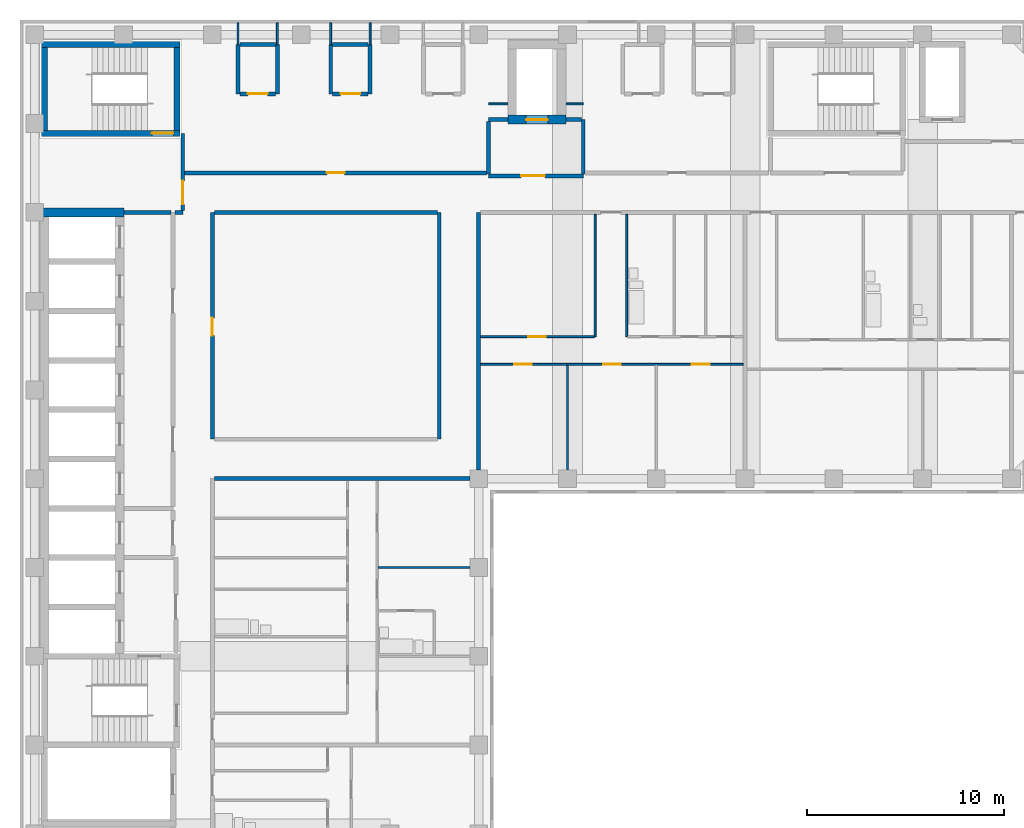
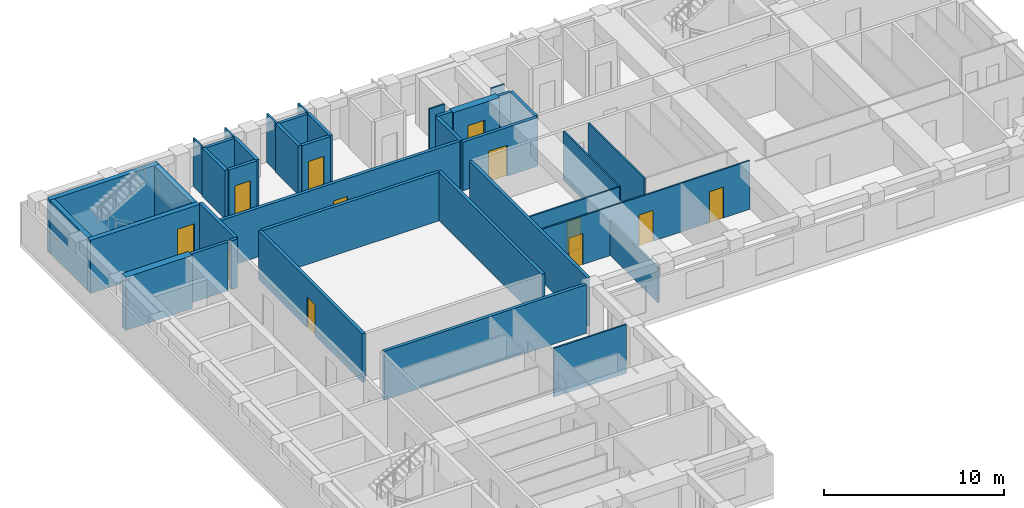
# One storey, part 5 of 10: 40 walls, 12 doors, 12 openings.
"""IFC4 building model written with IfcOpenShell, lengths in metres."""

from ifc_helpers import new_model, si_unit, direction, frame, frame_2d, origin, place, context, subcontext, project, spatial, rectangle, extrude, material, layer, layer_set, type_object, element, fill, save


model = new_model("IFC4")

# Units and contexts
model_context = context("Model", 3, precision=1e-05, world=origin(), true_north=direction((0.0, 1.0)))
body_context = subcontext(model_context, "Body", "Model", "MODEL_VIEW")
ifc_project = project(units=[si_unit("LENGTHUNIT", "METRE"), si_unit("AREAUNIT", "SQUARE_METRE"), si_unit("VOLUMEUNIT", "CUBIC_METRE"), si_unit("PLANEANGLEUNIT", "RADIAN"), si_unit("MASSUNIT", "GRAM", prefix="KILO")], contexts=[model_context])

# Site, building, storey
site_placement = place(None, origin())
site = spatial("IfcSite", under=ifc_project, at=site_placement, CompositionType="ELEMENT")
building_placement = place(site_placement, origin())
building = spatial("IfcBuilding", under=site, at=building_placement, Name="Firuza Court", CompositionType="ELEMENT")
storey_placement = place(building_placement, frame((0.0, 0.0, 189.800048828125)))
storey = spatial("IfcBuildingStorey", under=building, at=storey_placement, Name="L48", CompositionType="ELEMENT", Elevation=189.800048828125)

# Wall
ifc_material_1 = material(Name="Moisture-resistant gypsum board partition")
ifc_layer_1 = layer(ifc_material_1, 0.10009765625)
ifc_layer_set_1 = layer_set([ifc_layer_1], Name="Moisture-resistant gypsum board partition")
wall_type_1 = type_object("IfcWallType", Name="Bathroom partition 100", PredefinedType="PLUMBINGWALL", material=ifc_layer_set_1)
wall_1_placement = place(storey_placement, frame((30.0, 43.199951171875, 0.0), z_axis=(0.0, 0.0, 1.0), x_axis=(0.0, 1.0, 0.0)))
element("IfcWall", 1, at=wall_1_placement, inside=storey, type_object=wall_type_1, Name="Bathroom partition 100 L48", PredefinedType="PLUMBINGWALL", context=body_context, shape_type="SweptSolid", body=[
    extrude(rectangle(XDim=6.199951171875, YDim=0.10009765625, at=frame_2d((3.10009765625, 0.0))), origin(), (0.0, 0.0, 1.0), 3.300048828125),
])

# Wall, opening, door
ifc_material_2 = material(Name="Concrete C50/60", Category="concrete")
ifc_layer_2 = layer(ifc_material_2, 0.300048828125)
ifc_layer_set_2 = layer_set([ifc_layer_2], Name="Concrete C50/60")
wall_type_2 = type_object("IfcWallType", Name="Core wall 300 C50/60", PredefinedType="SHEAR", material=ifc_layer_set_2)
wall_2_placement = place(storey_placement, frame((0.35009765625, 53.5, -0.300048828125), z_axis=(0.0, 0.0, 1.0), x_axis=(1.0, 0.0, 0.0)))
wall_2 = element("IfcWall", 2, at=wall_2_placement, inside=storey, type_object=wall_type_2, Name="Core wall stair L48", PredefinedType="SHEAR", context=body_context, shape_type="SweptSolid", body=[
    extrude(rectangle(XDim=7.0, YDim=0.300048828125, at=frame_2d((3.5, 0.0))), origin(), (0.0, 0.0, 1.0), 3.60009765625),
])
opening_1_placement = place(wall_2_placement, frame((5.580078125, 0.0, 0.300048828125)))
opening_1 = element("IfcOpeningElement", 3, at=opening_1_placement, cuts=wall_2, Name="Opening D48014", PredefinedType="OPENING", context=body_context, shape_type="SweptSolid", body=[
    extrude(rectangle(XDim=1.10009765625, YDim=2.10009765625, at=frame_2d((0.550048828125, 1.050048828125))), frame((0.0, 0.162109375, 0.0), z_axis=(0.0, -1.0, 0.0), x_axis=(1.0, 0.0, 0.0)), (0.0, 0.0, 1.0), 0.323974609375),
])
ifc_material_3 = material(Name="Timber door leaf in hardwood frame", Category="wood")
door_type_1 = type_object("IfcDoorType", Name="Stair door 1100", OperationType="SINGLE_SWING_LEFT", PredefinedType="DOOR", material=ifc_material_3)
door_1_placement = place(opening_1_placement, origin())
door_1 = element("IfcDoor", 4, at=door_1_placement, inside=storey, type_object=door_type_1, Name="Stair door S3", OperationType="SINGLE_SWING_RIGHT", OverallHeight=2.10009765625, OverallWidth=1.10009765625, PredefinedType="DOOR", context=body_context, shape_type="SweptSolid", body=[
    extrude(rectangle(XDim=1.10009765625, YDim=2.10009765625, at=frame_2d((0.550048828125, 1.050048828125))), frame((0.0, 0.02490234375, 0.0), z_axis=(0.0, -1.0, 0.0), x_axis=(1.0, 0.0, 0.0)), (0.0, 0.0, 1.0), 0.050048828125),
])
fill(opening_1, door_1)

# Walls
wall_3_placement = place(storey_placement, frame((0.35009765625, 58.0, -0.300048828125), z_axis=(0.0, 0.0, 1.0), x_axis=(1.0, 0.0, 0.0)))
element("IfcWall", 5, at=wall_3_placement, inside=storey, type_object=wall_type_2, Name="Core wall stair L48", PredefinedType="SHEAR", context=body_context, shape_type="SweptSolid", body=[
    extrude(rectangle(XDim=7.0, YDim=0.300048828125, at=frame_2d((3.5, 0.0))), origin(), (0.0, 0.0, 1.0), 3.60009765625),
])
for number, where, z_axis, x_axis, name in (
    (6, (0.5, 53.64990234375, -0.300048828125), (0.0, 0.0, 1.0), (0.0, 1.0, 0.0), "Core wall stair L48"),
    (7, (7.199951171875, 53.64990234375, -0.300048828125), (0.0, 0.0, 1.0), (0.0, 1.0, 0.0), "Core wall stair L48"),
):
    element("IfcWall", number, at=place(storey_placement, frame(where, z_axis=z_axis, x_axis=x_axis)), inside=storey, type_object=wall_type_2, Name=name, PredefinedType="SHEAR", context=body_context, shape_type="SweptSolid", body=[
        extrude(rectangle(XDim=4.2001953125, YDim=0.300048828125, at=frame_2d((2.10009765625, 0.0))), origin(), (0.0, 0.0, 1.0), 3.60009765625),
    ])
ifc_layer_3 = layer(ifc_material_2, 0.449951171875)
ifc_layer_set_3 = layer_set([ifc_layer_3], Name="Concrete C50/60")
wall_type_3 = type_object("IfcWallType", Name="Core wall 450 C50/60", PredefinedType="SHEAR", material=ifc_layer_set_3)
wall_4_placement = place(storey_placement, frame((0.27490234375, 49.5, -0.300048828125), z_axis=(0.0, 0.0, 1.0), x_axis=(1.0, 0.0, 0.0)))
element("IfcWall", 8, at=wall_4_placement, inside=storey, type_object=wall_type_3, Name="Core wall lift shaft L48", PredefinedType="SHEAR", context=body_context, shape_type="SweptSolid", body=[
    extrude(rectangle(XDim=4.25, YDim=0.449951171875, at=frame_2d((2.125, 0.0))), origin(), (0.0, 0.0, 1.0), 3.60009765625),
])

# Wall, opening, door
wall_5_placement = place(storey_placement, frame((23.97509765625, 54.199951171875, -0.300048828125), z_axis=(0.0, 0.0, 1.0), x_axis=(1.0, 0.0, 0.0)))
wall_5 = element("IfcWall", 9, at=wall_5_placement, inside=storey, type_object=wall_type_3, Name="Core wall lift shaft L48", PredefinedType="SHEAR", context=body_context, shape_type="SweptSolid", body=[
    extrude(rectangle(XDim=2.949951171875, YDim=0.449951171875, at=frame_2d((1.47509765625, 0.0))), origin(), (0.0, 0.0, 1.0), 3.60009765625),
])
opening_2_placement = place(wall_5_placement, frame((0.925048828125, 0.0, 0.300048828125)))
opening_2 = element("IfcOpeningElement", 10, at=opening_2_placement, cuts=wall_5, Name="Opening LD-FL3-48", PredefinedType="OPENING", context=body_context, shape_type="SweptSolid", body=[
    extrude(rectangle(XDim=1.10009765625, YDim=2.10009765625, at=frame_2d((0.550048828125, 1.050048828125))), frame((0.0, 0.23681640625, 0.0), z_axis=(0.0, -1.0, 0.0), x_axis=(1.0, 0.0, 0.0)), (0.0, 0.0, 1.0), 0.473876953125),
])
ifc_material_4 = material(Name="Stainless steel 1.4301 door leaf", Category="steel")
door_type_2 = type_object("IfcDoorType", Name="Lift landing door 1100", OperationType="SLIDING_TO_LEFT", PredefinedType="DOOR", material=ifc_material_4)
door_2_placement = place(opening_2_placement, origin())
door_2 = element("IfcDoor", 11, at=door_2_placement, inside=storey, type_object=door_type_2, Name="Landing door FL3", OperationType="SLIDING_TO_LEFT", OverallHeight=2.10009765625, OverallWidth=1.10009765625, PredefinedType="DOOR", context=body_context, shape_type="SweptSolid", body=[
    extrude(rectangle(XDim=1.10009765625, YDim=2.10009765625, at=frame_2d((0.550048828125, 1.050048828125))), frame((0.0, 0.02490234375, 0.0), z_axis=(0.0, -1.0, 0.0), x_axis=(1.0, 0.0, 0.0)), (0.0, 0.0, 1.0), 0.050048828125),
])
fill(opening_2, door_2)

ifc_material_5 = material(Name="Blockwork, plastered both sides", Category="masonry")
ifc_layer_4 = layer(ifc_material_5, 0.199951171875)
ifc_layer_set_4 = layer_set([ifc_layer_4], Name="Blockwork, plastered both sides")
wall_type_4 = type_object("IfcWallType", Name="Corridor wall 200", PredefinedType="PARTITIONING", material=ifc_layer_set_4)
wall_6_placement = place(storey_placement, frame((9.0, 38.0, 0.0), z_axis=(0.0, 0.0, 1.0), x_axis=(0.0, 1.0, 0.0)))
wall_6 = element("IfcWall", 12, at=wall_6_placement, inside=storey, type_object=wall_type_4, Name="Corridor wall 200 L48", PredefinedType="PARTITIONING", context=body_context, shape_type="SweptSolid", body=[
    extrude(rectangle(XDim=11.5, YDim=0.199951171875, at=frame_2d((5.75, 0.0))), origin(), (0.0, 0.0, 1.0), 3.300048828125),
])
opening_3_placement = place(wall_6_placement, frame((5.25, 0.0, 0.0)))
opening_3 = element("IfcOpeningElement", 13, at=opening_3_placement, cuts=wall_6, Name="Opening D48037", PredefinedType="OPENING", context=body_context, shape_type="SweptSolid", body=[
    extrude(rectangle(XDim=0.89990234375, YDim=2.10009765625, at=frame_2d((0.449951171875, 1.050048828125))), frame((0.0, 0.11181640625, 0.0), z_axis=(0.0, -1.0, 0.0), x_axis=(1.0, 0.0, 0.0)), (0.0, 0.0, 1.0), 0.223876953125),
])
ifc_material_6 = material(Name="Timber door leaf in hardwood frame", Category="wood")
door_type_3 = type_object("IfcDoorType", Name="Room door 900 EI 30", OperationType="SINGLE_SWING_LEFT", PredefinedType="DOOR", material=ifc_material_6)
door_3_placement = place(opening_3_placement, origin())
door_3 = element("IfcDoor", 14, at=door_3_placement, inside=storey, type_object=door_type_3, Name="Residents' club lounge door", OperationType="SINGLE_SWING_LEFT", OverallHeight=2.10009765625, OverallWidth=0.89990234375, PredefinedType="DOOR", context=body_context, shape_type="SweptSolid", body=[
    extrude(rectangle(XDim=0.89990234375, YDim=2.10009765625, at=frame_2d((0.449951171875, 1.050048828125))), frame((0.0, 0.02490234375, 0.0), z_axis=(0.0, -1.0, 0.0), x_axis=(1.0, 0.0, 0.0)), (0.0, 0.0, 1.0), 0.050048828125),
])
fill(opening_3, door_3)

# Walls
wall_7_placement = place(storey_placement, frame((20.5, 38.0, 0.0), z_axis=(0.0, 0.0, 1.0), x_axis=(0.0, 1.0, 0.0)))
element("IfcWall", 15, at=wall_7_placement, inside=storey, type_object=wall_type_4, Name="Corridor wall 200 L48", PredefinedType="PARTITIONING", context=body_context, shape_type="SweptSolid", body=[
    extrude(rectangle(XDim=11.5, YDim=0.199951171875, at=frame_2d((5.75, 0.0))), origin(), (0.0, 0.0, 1.0), 3.300048828125),
])
wall_8_placement = place(storey_placement, frame((9.10009765625, 49.5, 0.0), z_axis=(0.0, 0.0, 1.0), x_axis=(1.0, 0.0, 0.0)))
element("IfcWall", 16, at=wall_8_placement, inside=storey, type_object=wall_type_4, Name="Corridor wall 200 L48", PredefinedType="PARTITIONING", context=body_context, shape_type="SweptSolid", body=[
    extrude(rectangle(XDim=11.2998046875, YDim=0.199951171875, at=frame_2d((5.64990234375, 0.0))), origin(), (0.0, 0.0, 1.0), 3.300048828125),
])

# Wall, opening, door
wall_9_placement = place(storey_placement, frame((7.60009765625, 51.5, 0.0), z_axis=(0.0, 0.0, 1.0), x_axis=(1.0, 0.0, 0.0)))
wall_9 = element("IfcWall", 17, at=wall_9_placement, inside=storey, type_object=wall_type_4, Name="Corridor wall 200 L48", PredefinedType="PARTITIONING", context=body_context, shape_type="SweptSolid", body=[
    extrude(rectangle(XDim=15.2998046875, YDim=0.199951171875, at=frame_2d((7.64990234375, 0.0))), origin(), (0.0, 0.0, 1.0), 3.300048828125),
])
opening_4_placement = place(wall_9_placement, frame((7.199951171875, 0.0, 0.0)))
opening_4 = element("IfcOpeningElement", 18, at=opening_4_placement, cuts=wall_9, Name="Opening D48058", PredefinedType="OPENING", context=body_context, shape_type="SweptSolid", body=[
    extrude(rectangle(XDim=0.89990234375, YDim=2.10009765625, at=frame_2d((0.449951171875, 1.050048828125))), frame((0.0, 0.11181640625, 0.0), z_axis=(0.0, -1.0, 0.0), x_axis=(1.0, 0.0, 0.0)), (0.0, 0.0, 1.0), 0.223876953125),
])
door_4_placement = place(opening_4_placement, origin())
door_4 = element("IfcDoor", 19, at=door_4_placement, inside=storey, type_object=door_type_3, Name="Residents' workroom door", OperationType="SINGLE_SWING_LEFT", OverallHeight=2.10009765625, OverallWidth=0.89990234375, PredefinedType="DOOR", context=body_context, shape_type="SweptSolid", body=[
    extrude(rectangle(XDim=0.89990234375, YDim=2.10009765625, at=frame_2d((0.449951171875, 1.050048828125))), frame((0.0, 0.02490234375, 0.0), z_axis=(0.0, -1.0, 0.0), x_axis=(1.0, 0.0, 0.0)), (0.0, 0.0, 1.0), 0.050048828125),
])
fill(opening_4, door_4)

# Walls
ifc_material_7 = material(Name="Timber stud partition, plasterboard both sides", Category="wood")
ifc_layer_5 = layer(ifc_material_7, 0.10009765625)
ifc_layer_set_5 = layer_set([ifc_layer_5], Name="Timber stud partition, plasterboard both sides")
wall_type_5 = type_object("IfcWallType", Name="Partition wall 100", PredefinedType="PARTITIONING", material=ifc_layer_set_5)
wall_10_placement = place(storey_placement, frame((17.39990234375, 31.5, 0.0), z_axis=(0.0, 0.0, 1.0), x_axis=(1.0, 0.0, 0.0)))
element("IfcWall", 20, at=wall_10_placement, inside=storey, type_object=wall_type_5, Name="Partition wall 100 L48", PredefinedType="PARTITIONING", context=body_context, shape_type="SweptSolid", body=[
    extrude(rectangle(XDim=4.650146484375, YDim=0.10009765625, at=frame_2d((2.3251953125, 0.0))), origin(), (0.0, 0.0, 1.0), 3.300048828125),
])
wall_11_placement = place(storey_placement, frame((27.0, 36.449951171875, 0.0), z_axis=(0.0, 0.0, 1.0), x_axis=(0.0, 1.0, 0.0)))
element("IfcWall", 21, at=wall_11_placement, inside=storey, type_object=wall_type_5, Name="Partition wall 100 L48", PredefinedType="PARTITIONING", context=body_context, shape_type="SweptSolid", body=[
    extrude(rectangle(XDim=5.300048828125, YDim=0.10009765625, at=frame_2d((2.64990234375, 0.0))), origin(), (0.0, 0.0, 1.0), 2.39990234375),
])

# Wall, openings, doors
wall_12_placement = place(storey_placement, frame((22.60009765625, 41.800048828125, 0.0), z_axis=(0.0, 0.0, 1.0), x_axis=(1.0, 0.0, 0.0)))
wall_12 = element("IfcWall", 22, at=wall_12_placement, inside=storey, type_object=wall_type_5, Name="Partition wall 100 L48", PredefinedType="PARTITIONING", context=body_context, shape_type="SweptSolid", body=[
    extrude(rectangle(XDim=13.2998046875, YDim=0.10009765625, at=frame_2d((6.64990234375, 0.0))), origin(), (0.0, 0.0, 1.0), 3.300048828125),
])
opening_5_placement = place(wall_12_placement, frame((1.699951171875, 0.0, 0.0)))
opening_5 = element("IfcOpeningElement", 23, at=opening_5_placement, cuts=wall_12, Name="Opening D48041", PredefinedType="OPENING", context=body_context, shape_type="SweptSolid", body=[
    extrude(rectangle(XDim=0.89990234375, YDim=2.10009765625, at=frame_2d((0.449951171875, 1.050048828125))), frame((0.0, 0.06201171875, 0.0), z_axis=(0.0, -1.0, 0.0), x_axis=(1.0, 0.0, 0.0)), (0.0, 0.0, 1.0), 0.1240234375),
])
opening_6_placement = place(wall_12_placement, frame((6.199951171875, 0.0, 0.0)))
opening_6 = element("IfcOpeningElement", 24, at=opening_6_placement, cuts=wall_12, Name="Opening D48042", PredefinedType="OPENING", context=body_context, shape_type="SweptSolid", body=[
    extrude(rectangle(XDim=0.89990234375, YDim=2.10009765625, at=frame_2d((0.449951171875, 1.050048828125))), frame((0.0, 0.06201171875, 0.0), z_axis=(0.0, -1.0, 0.0), x_axis=(1.0, 0.0, 0.0)), (0.0, 0.0, 1.0), 0.1240234375),
])
opening_7_placement = place(wall_12_placement, frame((10.699951171875, 0.0, 0.0)))
opening_7 = element("IfcOpeningElement", 25, at=opening_7_placement, cuts=wall_12, Name="Opening D48043", PredefinedType="OPENING", context=body_context, shape_type="SweptSolid", body=[
    extrude(rectangle(XDim=0.89990234375, YDim=2.10009765625, at=frame_2d((0.449951171875, 1.050048828125))), frame((0.0, 0.06201171875, 0.0), z_axis=(0.0, -1.0, 0.0), x_axis=(1.0, 0.0, 0.0)), (0.0, 0.0, 1.0), 0.1240234375),
])
ifc_material_8 = material(Name="Timber door leaf in hardwood frame", Category="wood")
door_type_4 = type_object("IfcDoorType", Name="Room door 900", OperationType="SINGLE_SWING_LEFT", PredefinedType="DOOR", material=ifc_material_8)
door_5_placement = place(opening_5_placement, frame((0.89990234375, 0.0, 0.0), z_axis=(0.0, 0.0, 1.0), x_axis=(-1.0, 0.0, 0.0)))
door_5 = element("IfcDoor", 26, at=door_5_placement, inside=storey, type_object=door_type_4, Name="Living room door", OperationType="SINGLE_SWING_RIGHT", OverallHeight=2.10009765625, OverallWidth=0.89990234375, PredefinedType="DOOR", context=body_context, shape_type="SweptSolid", body=[
    extrude(rectangle(XDim=0.89990234375, YDim=2.10009765625, at=frame_2d((0.449951171875, 1.050048828125))), frame((0.0, 0.02490234375, 0.0), z_axis=(0.0, -1.0, 0.0), x_axis=(1.0, 0.0, 0.0)), (0.0, 0.0, 1.0), 0.050048828125),
])
fill(opening_5, door_5)
door_6_placement = place(opening_6_placement, frame((0.89990234375, 0.0, 0.0), z_axis=(0.0, 0.0, 1.0), x_axis=(-1.0, 0.0, 0.0)))
door_6 = element("IfcDoor", 27, at=door_6_placement, inside=storey, type_object=door_type_4, Name="Bedroom door", OperationType="SINGLE_SWING_RIGHT", OverallHeight=2.10009765625, OverallWidth=0.89990234375, PredefinedType="DOOR", context=body_context, shape_type="SweptSolid", body=[
    extrude(rectangle(XDim=0.89990234375, YDim=2.10009765625, at=frame_2d((0.449951171875, 1.050048828125))), frame((0.0, 0.02490234375, 0.0), z_axis=(0.0, -1.0, 0.0), x_axis=(1.0, 0.0, 0.0)), (0.0, 0.0, 1.0), 0.050048828125),
])
fill(opening_6, door_6)
door_7_placement = place(opening_7_placement, frame((0.89990234375, 0.0, 0.0), z_axis=(0.0, 0.0, 1.0), x_axis=(-1.0, 0.0, 0.0)))
door_7 = element("IfcDoor", 28, at=door_7_placement, inside=storey, type_object=door_type_4, Name="Study door", OperationType="SINGLE_SWING_RIGHT", OverallHeight=2.10009765625, OverallWidth=0.89990234375, PredefinedType="DOOR", context=body_context, shape_type="SweptSolid", body=[
    extrude(rectangle(XDim=0.89990234375, YDim=2.10009765625, at=frame_2d((0.449951171875, 1.050048828125))), frame((0.0, 0.02490234375, 0.0), z_axis=(0.0, -1.0, 0.0), x_axis=(1.0, 0.0, 0.0)), (0.0, 0.0, 1.0), 0.050048828125),
])
fill(opening_7, door_7)

# Wall, opening, door
wall_13_placement = place(storey_placement, frame((22.60009765625, 43.199951171875, 0.0), z_axis=(0.0, 0.0, 1.0), x_axis=(1.0, 0.0, 0.0)))
wall_13 = element("IfcWall", 29, at=wall_13_placement, inside=storey, type_object=wall_type_5, Name="Partition wall 100 L48", PredefinedType="PARTITIONING", context=body_context, shape_type="SweptSolid", body=[
    extrude(rectangle(XDim=5.75, YDim=0.10009765625, at=frame_2d((2.875, 0.0))), origin(), (0.0, 0.0, 1.0), 3.300048828125),
])
opening_8_placement = place(wall_13_placement, frame((2.39990234375, 0.0, 0.0)))
opening_8 = element("IfcOpeningElement", 30, at=opening_8_placement, cuts=wall_13, Name="Opening D48049", PredefinedType="OPENING", context=body_context, shape_type="SweptSolid", body=[
    extrude(rectangle(XDim=0.89990234375, YDim=2.10009765625, at=frame_2d((0.449951171875, 1.050048828125))), frame((0.0, 0.06201171875, 0.0), z_axis=(0.0, -1.0, 0.0), x_axis=(1.0, 0.0, 0.0)), (0.0, 0.0, 1.0), 0.1240234375),
])
door_8_placement = place(opening_8_placement, origin())
door_8 = element("IfcDoor", 31, at=door_8_placement, inside=storey, type_object=door_type_4, Name="Kitchen door", OperationType="SINGLE_SWING_LEFT", OverallHeight=2.10009765625, OverallWidth=0.89990234375, PredefinedType="DOOR", context=body_context, shape_type="SweptSolid", body=[
    extrude(rectangle(XDim=0.89990234375, YDim=2.10009765625, at=frame_2d((0.449951171875, 1.050048828125))), frame((0.0, 0.02490234375, 0.0), z_axis=(0.0, -1.0, 0.0), x_axis=(1.0, 0.0, 0.0)), (0.0, 0.0, 1.0), 0.050048828125),
])
fill(opening_8, door_8)

# Walls
wall_14_placement = place(storey_placement, frame((28.39990234375, 43.199951171875, 0.0), z_axis=(0.0, 0.0, 1.0), x_axis=(0.0, 1.0, 0.0)))
element("IfcWall", 32, at=wall_14_placement, inside=storey, type_object=wall_type_5, Name="Partition wall 100 L48", PredefinedType="PARTITIONING", context=body_context, shape_type="SweptSolid", body=[
    extrude(rectangle(XDim=6.199951171875, YDim=0.10009765625, at=frame_2d((3.10009765625, 0.0))), origin(), (0.0, 0.0, 1.0), 3.300048828125),
])
wall_15_placement = place(storey_placement, frame((23.0, 55.0, 0.0), z_axis=(0.0, 0.0, 1.0), x_axis=(1.0, 0.0, 0.0)))
element("IfcWall", 33, at=wall_15_placement, inside=storey, type_object=wall_type_5, Name="Partition wall 100 L48", PredefinedType="PARTITIONING", context=body_context, shape_type="SweptSolid", body=[
    extrude(rectangle(XDim=0.97509765625, YDim=0.10009765625, at=frame_2d((0.487548828125, 0.0))), origin(), (0.0, 0.0, 1.0), 3.300048828125),
])
wall_16_placement = place(storey_placement, frame((26.925048828125, 55.0, 0.0), z_axis=(0.0, 0.0, 1.0), x_axis=(1.0, 0.0, 0.0)))
element("IfcWall", 34, at=wall_16_placement, inside=storey, type_object=wall_type_5, Name="Partition wall 100 L48", PredefinedType="PARTITIONING", context=body_context, shape_type="SweptSolid", body=[
    extrude(rectangle(XDim=0.875, YDim=0.10009765625, at=frame_2d((0.4375, 0.0))), origin(), (0.0, 0.0, 1.0), 3.300048828125),
])
for number, where, z_axis, x_axis, name in (
    (35, (10.300048828125, 58.0, 0.0), (0.0, 0.0, 1.0), (0.0, 1.0, 0.0), "Partition wall 100 L48"),
    (36, (12.300048828125, 58.0, 0.0), (0.0, 0.0, 1.0), (0.0, 1.0, 0.0), "Partition wall 100 L48"),
    (37, (15.0, 58.0, 0.0), (0.0, 0.0, 1.0), (0.0, 1.0, 0.0), "Partition wall 100 L48"),
    (38, (17.0, 58.0, 0.0), (0.0, 0.0, 1.0), (0.0, 1.0, 0.0), "Partition wall 100 L48"),
):
    element("IfcWall", number, at=place(storey_placement, frame(where, z_axis=z_axis, x_axis=x_axis)), inside=storey, type_object=wall_type_5, Name=name, PredefinedType="PARTITIONING", context=body_context, shape_type="SweptSolid", body=[
        extrude(rectangle(XDim=1.10009765625, YDim=0.10009765625, at=frame_2d((0.550048828125, 0.0))), origin(), (0.0, 0.0, 1.0), 3.300048828125),
    ])
ifc_layer_6 = layer(ifc_material_5, 0.199951171875)
ifc_layer_set_6 = layer_set([ifc_layer_6], Name="Blockwork, plastered both sides")
wall_type_6 = type_object("IfcWallType", Name="Party wall 200", PredefinedType="PARTITIONING", material=ifc_layer_set_6)
wall_17_placement = place(storey_placement, frame((9.10009765625, 36.0, 0.0), z_axis=(0.0, 0.0, 1.0), x_axis=(1.0, 0.0, 0.0)))
element("IfcWall", 39, at=wall_17_placement, inside=storey, type_object=wall_type_6, Name="Party wall 200 L48", PredefinedType="PARTITIONING", context=body_context, shape_type="SweptSolid", body=[
    extrude(rectangle(XDim=12.949951171875, YDim=0.199951171875, at=frame_2d((6.47509765625, 0.0))), origin(), (0.0, 0.0, 1.0), 3.300048828125),
])
wall_18_placement = place(storey_placement, frame((22.5, 36.449951171875, 0.0), z_axis=(0.0, 0.0, 1.0), x_axis=(0.0, 1.0, 0.0)))
element("IfcWall", 40, at=wall_18_placement, inside=storey, type_object=wall_type_6, Name="Party wall 200 L48", PredefinedType="PARTITIONING", context=body_context, shape_type="SweptSolid", body=[
    extrude(rectangle(XDim=13.050048828125, YDim=0.199951171875, at=frame_2d((6.52490234375, 0.0))), origin(), (0.0, 0.0, 1.0), 3.300048828125),
])
ifc_material_9 = material(Name="Blockwork, fire-rated", Category="masonry")
ifc_layer_7 = layer(ifc_material_9, 0.199951171875)
ifc_layer_set_7 = layer_set([ifc_layer_7], Name="Blockwork, fire-rated")
wall_type_7 = type_object("IfcWallType", Name="Plant room wall 200", PredefinedType="PARTITIONING", material=ifc_layer_set_7)
wall_19_placement = place(storey_placement, frame((10.300048828125, 55.5, 0.0), z_axis=(0.0, 0.0, 1.0), x_axis=(0.0, 1.0, 0.0)))
element("IfcWall", 41, at=wall_19_placement, inside=storey, type_object=wall_type_7, Name="Plant room wall 200 L48", PredefinedType="PARTITIONING", context=body_context, shape_type="SweptSolid", body=[
    extrude(rectangle(XDim=2.5, YDim=0.199951171875, at=frame_2d((1.25, 0.0))), origin(), (0.0, 0.0, 1.0), 3.300048828125),
])

# Wall, opening, door
wall_20_placement = place(storey_placement, frame((10.39990234375, 55.5, 0.0), z_axis=(0.0, 0.0, 1.0), x_axis=(1.0, 0.0, 0.0)))
wall_20 = element("IfcWall", 42, at=wall_20_placement, inside=storey, type_object=wall_type_7, Name="Plant room wall 200 L48", PredefinedType="PARTITIONING", context=body_context, shape_type="SweptSolid", body=[
    extrude(rectangle(XDim=1.800048828125, YDim=0.199951171875, at=frame_2d((0.89990234375, 0.0))), origin(), (0.0, 0.0, 1.0), 3.300048828125),
])
opening_9_placement = place(wall_20_placement, frame((0.39990234375, 0.0, 0.0)))
opening_9 = element("IfcOpeningElement", 43, at=opening_9_placement, cuts=wall_20, Name="Opening D48061", PredefinedType="OPENING", context=body_context, shape_type="SweptSolid", body=[
    extrude(rectangle(XDim=1.0, YDim=2.10009765625, at=frame_2d((0.5, 1.050048828125))), frame((0.0, 0.11181640625, 0.0), z_axis=(0.0, -1.0, 0.0), x_axis=(1.0, 0.0, 0.0)), (0.0, 0.0, 1.0), 0.223876953125),
])
ifc_material_10 = material(Name="Timber door leaf in hardwood frame", Category="wood")
door_type_5 = type_object("IfcDoorType", Name="Riser door 1000", OperationType="SINGLE_SWING_LEFT", PredefinedType="DOOR", material=ifc_material_10)
door_9_placement = place(opening_9_placement, origin())
door_9 = element("IfcDoor", 44, at=door_9_placement, inside=storey, type_object=door_type_5, Name="Comms riser door", OperationType="SINGLE_SWING_LEFT", OverallHeight=2.10009765625, OverallWidth=1.0, PredefinedType="DOOR", context=body_context, shape_type="SweptSolid", body=[
    extrude(rectangle(XDim=1.0, YDim=2.10009765625, at=frame_2d((0.5, 1.050048828125))), frame((0.0, 0.02490234375, 0.0), z_axis=(0.0, -1.0, 0.0), x_axis=(1.0, 0.0, 0.0)), (0.0, 0.0, 1.0), 0.050048828125),
])
fill(opening_9, door_9)

# Walls
for number, where, z_axis, x_axis, name in (
    (45, (12.300048828125, 55.5, 0.0), (0.0, 0.0, 1.0), (0.0, 1.0, 0.0), "Plant room wall 200 L48"),
    (46, (15.0, 55.5, 0.0), (0.0, 0.0, 1.0), (0.0, 1.0, 0.0), "Plant room wall 200 L48"),
):
    element("IfcWall", number, at=place(storey_placement, frame(where, z_axis=z_axis, x_axis=x_axis)), inside=storey, type_object=wall_type_7, Name=name, PredefinedType="PARTITIONING", context=body_context, shape_type="SweptSolid", body=[
        extrude(rectangle(XDim=2.5, YDim=0.199951171875, at=frame_2d((1.25, 0.0))), origin(), (0.0, 0.0, 1.0), 3.300048828125),
    ])

# Wall, opening, door
wall_21_placement = place(storey_placement, frame((15.10009765625, 55.5, 0.0), z_axis=(0.0, 0.0, 1.0), x_axis=(1.0, 0.0, 0.0)))
wall_21 = element("IfcWall", 47, at=wall_21_placement, inside=storey, type_object=wall_type_7, Name="Plant room wall 200 L48", PredefinedType="PARTITIONING", context=body_context, shape_type="SweptSolid", body=[
    extrude(rectangle(XDim=1.7998046875, YDim=0.199951171875, at=frame_2d((0.89990234375, 0.0))), origin(), (0.0, 0.0, 1.0), 3.300048828125),
])
opening_10_placement = place(wall_21_placement, frame((0.39990234375, 0.0, 0.0)))
opening_10 = element("IfcOpeningElement", 48, at=opening_10_placement, cuts=wall_21, Name="Opening D48062", PredefinedType="OPENING", context=body_context, shape_type="SweptSolid", body=[
    extrude(rectangle(XDim=1.0, YDim=2.10009765625, at=frame_2d((0.5, 1.050048828125))), frame((0.0, 0.11181640625, 0.0), z_axis=(0.0, -1.0, 0.0), x_axis=(1.0, 0.0, 0.0)), (0.0, 0.0, 1.0), 0.223876953125),
])
door_10_placement = place(opening_10_placement, origin())
door_10 = element("IfcDoor", 49, at=door_10_placement, inside=storey, type_object=door_type_5, Name="Electrical riser door", OperationType="SINGLE_SWING_LEFT", OverallHeight=2.10009765625, OverallWidth=1.0, PredefinedType="DOOR", context=body_context, shape_type="SweptSolid", body=[
    extrude(rectangle(XDim=1.0, YDim=2.10009765625, at=frame_2d((0.5, 1.050048828125))), frame((0.0, 0.02490234375, 0.0), z_axis=(0.0, -1.0, 0.0), x_axis=(1.0, 0.0, 0.0)), (0.0, 0.0, 1.0), 0.050048828125),
])
fill(opening_10, door_10)

# Walls
wall_22_placement = place(storey_placement, frame((17.0, 55.5, 0.0), z_axis=(0.0, 0.0, 1.0), x_axis=(0.0, 1.0, 0.0)))
element("IfcWall", 50, at=wall_22_placement, inside=storey, type_object=wall_type_7, Name="Plant room wall 200 L48", PredefinedType="PARTITIONING", context=body_context, shape_type="SweptSolid", body=[
    extrude(rectangle(XDim=2.5, YDim=0.199951171875, at=frame_2d((1.25, 0.0))), origin(), (0.0, 0.0, 1.0), 3.300048828125),
])
wall_23_placement = place(storey_placement, frame((10.39990234375, 58.0, 0.0), z_axis=(0.0, 0.0, 1.0), x_axis=(1.0, 0.0, 0.0)))
element("IfcWall", 51, at=wall_23_placement, inside=storey, type_object=wall_type_7, Name="Plant room wall 200 L48", PredefinedType="PARTITIONING", context=body_context, shape_type="SweptSolid", body=[
    extrude(rectangle(XDim=1.800048828125, YDim=0.199951171875, at=frame_2d((0.89990234375, 0.0))), origin(), (0.0, 0.0, 1.0), 3.300048828125),
])
wall_24_placement = place(storey_placement, frame((15.10009765625, 58.0, 0.0), z_axis=(0.0, 0.0, 1.0), x_axis=(1.0, 0.0, 0.0)))
element("IfcWall", 52, at=wall_24_placement, inside=storey, type_object=wall_type_7, Name="Plant room wall 200 L48", PredefinedType="PARTITIONING", context=body_context, shape_type="SweptSolid", body=[
    extrude(rectangle(XDim=1.7998046875, YDim=0.199951171875, at=frame_2d((0.89990234375, 0.0))), origin(), (0.0, 0.0, 1.0), 3.300048828125),
])
ifc_layer_8 = layer(ifc_material_9, 0.199951171875)
ifc_layer_set_8 = layer_set([ifc_layer_8], Name="Blockwork, fire-rated")
wall_type_8 = type_object("IfcWallType", Name="Shaft wall 200", PredefinedType="PARTITIONING", material=ifc_layer_set_8)
wall_25_placement = place(storey_placement, frame((4.52490234375, 49.5, 0.0), z_axis=(0.0, 0.0, 1.0), x_axis=(1.0, 0.0, 0.0)))
element("IfcWall", 53, at=wall_25_placement, inside=storey, type_object=wall_type_8, Name="Shaft wall 200 L48", PredefinedType="PARTITIONING", context=body_context, shape_type="SweptSolid", body=[
    extrude(rectangle(XDim=2.375, YDim=0.199951171875, at=frame_2d((1.1875, 0.0))), origin(), (0.0, 0.0, 1.0), 3.300048828125),
])

# Wall, opening, door
wall_26_placement = place(storey_placement, frame((23.0, 51.35009765625, 0.0), z_axis=(0.0, 0.0, 1.0), x_axis=(1.0, 0.0, 0.0)))
wall_26 = element("IfcWall", 54, at=wall_26_placement, inside=storey, type_object=wall_type_8, Name="Shaft wall 200 L48", PredefinedType="PARTITIONING", context=body_context, shape_type="SweptSolid", body=[
    extrude(rectangle(XDim=4.800048828125, YDim=0.199951171875, at=frame_2d((2.39990234375, 0.0))), origin(), (0.0, 0.0, 1.0), 3.300048828125),
])
opening_11_placement = place(wall_26_placement, frame((1.64990234375, 0.0, 0.0)))
opening_11 = element("IfcOpeningElement", 55, at=opening_11_placement, cuts=wall_26, Name="Opening D48003", PredefinedType="OPENING", context=body_context, shape_type="SweptSolid", body=[
    extrude(rectangle(XDim=1.199951171875, YDim=2.10009765625, at=frame_2d((0.60009765625, 1.050048828125))), frame((0.0, 0.11181640625, 0.0), z_axis=(0.0, -1.0, 0.0), x_axis=(1.0, 0.0, 0.0)), (0.0, 0.0, 1.0), 0.223876953125),
])
ifc_material_11 = material(Name="Timber door leaf in hardwood frame", Category="wood")
door_type_6 = type_object("IfcDoorType", Name="Lobby door 1200", OperationType="SINGLE_SWING_LEFT", PredefinedType="DOOR", material=ifc_material_11)
door_11_placement = place(opening_11_placement, origin())
door_11 = element("IfcDoor", 56, at=door_11_placement, inside=storey, type_object=door_type_6, Name="Fire-fighting lobby door", OperationType="SINGLE_SWING_LEFT", OverallHeight=2.10009765625, OverallWidth=1.199951171875, PredefinedType="DOOR", context=body_context, shape_type="SweptSolid", body=[
    extrude(rectangle(XDim=1.199951171875, YDim=2.10009765625, at=frame_2d((0.60009765625, 1.050048828125))), frame((0.0, 0.02490234375, 0.0), z_axis=(0.0, -1.0, 0.0), x_axis=(1.0, 0.0, 0.0)), (0.0, 0.0, 1.0), 0.050048828125),
])
fill(opening_11, door_11)

# Walls
wall_27_placement = place(storey_placement, frame((27.800048828125, 51.449951171875, 0.0), z_axis=(0.0, 0.0, 1.0), x_axis=(0.0, 1.0, 0.0)))
element("IfcWall", 57, at=wall_27_placement, inside=storey, type_object=wall_type_8, Name="Shaft wall 200 L48", PredefinedType="PARTITIONING", context=body_context, shape_type="SweptSolid", body=[
    extrude(rectangle(XDim=2.75, YDim=0.199951171875, at=frame_2d((1.375, 0.0))), origin(), (0.0, 0.0, 1.0), 3.300048828125),
])
wall_28_placement = place(storey_placement, frame((23.0, 54.199951171875, 0.0), z_axis=(0.0, 0.0, 1.0), x_axis=(1.0, 0.0, 0.0)))
element("IfcWall", 58, at=wall_28_placement, inside=storey, type_object=wall_type_8, Name="Shaft wall 200 L48", PredefinedType="PARTITIONING", context=body_context, shape_type="SweptSolid", body=[
    extrude(rectangle(XDim=0.97509765625, YDim=0.199951171875, at=frame_2d((0.487548828125, 0.0))), origin(), (0.0, 0.0, 1.0), 3.300048828125),
])
wall_29_placement = place(storey_placement, frame((26.925048828125, 54.199951171875, 0.0), z_axis=(0.0, 0.0, 1.0), x_axis=(1.0, 0.0, 0.0)))
element("IfcWall", 59, at=wall_29_placement, inside=storey, type_object=wall_type_8, Name="Shaft wall 200 L48", PredefinedType="PARTITIONING", context=body_context, shape_type="SweptSolid", body=[
    extrude(rectangle(XDim=0.77490234375, YDim=0.199951171875, at=frame_2d((0.387451171875, 0.0))), origin(), (0.0, 0.0, 1.0), 3.300048828125),
])
wall_30_placement = place(storey_placement, frame((23.0, 51.449951171875, 0.0), z_axis=(0.0, 0.0, 1.0), x_axis=(0.0, 1.0, 0.0)))
element("IfcWall", 60, at=wall_30_placement, inside=storey, type_object=wall_type_8, Name="Shaft wall 200 L48", PredefinedType="PARTITIONING", context=body_context, shape_type="SweptSolid", body=[
    extrude(rectangle(XDim=2.650146484375, YDim=0.199951171875, at=frame_2d((1.3251953125, 0.0))), origin(), (0.0, 0.0, 1.0), 3.300048828125),
])
wall_31_placement = place(storey_placement, frame((7.10009765625, 49.5, 0.0), z_axis=(0.0, 0.0, 1.0), x_axis=(1.0, 0.0, 0.0)))
element("IfcWall", 61, at=wall_31_placement, inside=storey, type_object=wall_type_8, Name="Shaft wall 200 L48", PredefinedType="PARTITIONING", context=body_context, shape_type="SweptSolid", body=[
    extrude(rectangle(XDim=0.39990234375, YDim=0.199951171875, at=frame_2d((0.199951171875, 0.0))), origin(), (0.0, 0.0, 1.0), 3.300048828125),
])

# Wall, opening, door
wall_32_placement = place(storey_placement, frame((7.5, 49.60009765625, 0.0), z_axis=(0.0, 0.0, 1.0), x_axis=(0.0, 1.0, 0.0)))
wall_32 = element("IfcWall", 62, at=wall_32_placement, inside=storey, type_object=wall_type_8, Name="Shaft wall 200 L48", PredefinedType="PARTITIONING", context=body_context, shape_type="SweptSolid", body=[
    extrude(rectangle(XDim=3.89990234375, YDim=0.199951171875, at=frame_2d((1.949951171875, 0.0))), origin(), (0.0, 0.0, 1.0), 3.300048828125),
])
opening_12_placement = place(wall_32_placement, frame((0.300048828125, 0.0, 0.0)))
opening_12 = element("IfcOpeningElement", 63, at=opening_12_placement, cuts=wall_32, Name="Opening D48001", PredefinedType="OPENING", context=body_context, shape_type="SweptSolid", body=[
    extrude(rectangle(XDim=1.199951171875, YDim=2.10009765625, at=frame_2d((0.60009765625, 1.050048828125))), frame((0.0, 0.11181640625, 0.0), z_axis=(0.0, -1.0, 0.0), x_axis=(1.0, 0.0, 0.0)), (0.0, 0.0, 1.0), 0.223876953125),
])
door_12_placement = place(opening_12_placement, origin())
door_12 = element("IfcDoor", 64, at=door_12_placement, inside=storey, type_object=door_type_6, Name="Lobby door", OperationType="SINGLE_SWING_LEFT", OverallHeight=2.10009765625, OverallWidth=1.199951171875, PredefinedType="DOOR", context=body_context, shape_type="SweptSolid", body=[
    extrude(rectangle(XDim=1.199951171875, YDim=2.10009765625, at=frame_2d((0.60009765625, 1.050048828125))), frame((0.0, 0.02490234375, 0.0), z_axis=(0.0, -1.0, 0.0), x_axis=(1.0, 0.0, 0.0)), (0.0, 0.0, 1.0), 0.050048828125),
])
fill(opening_12, door_12)

save(model, "model.ifc")
